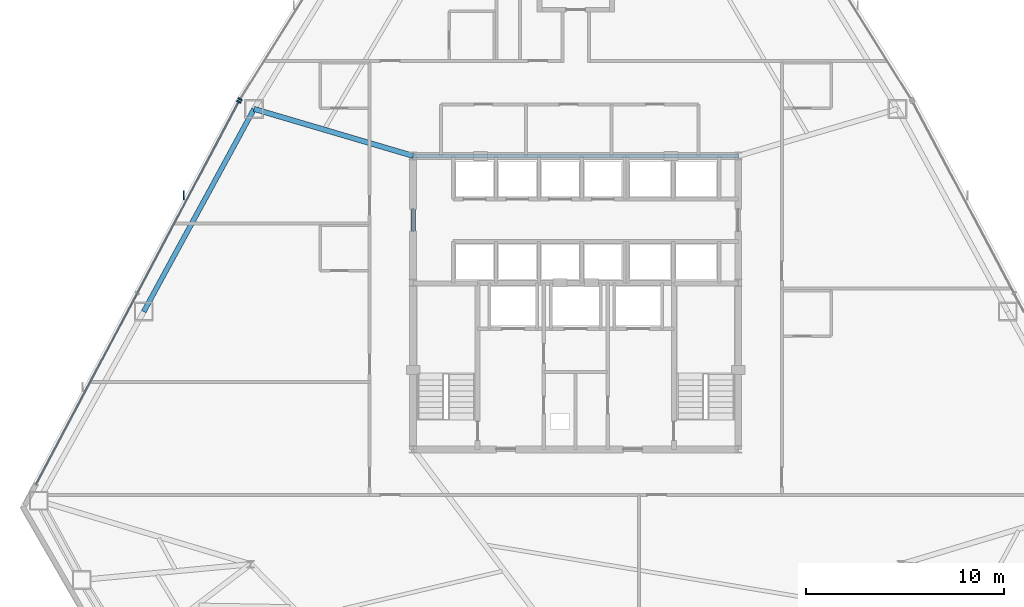
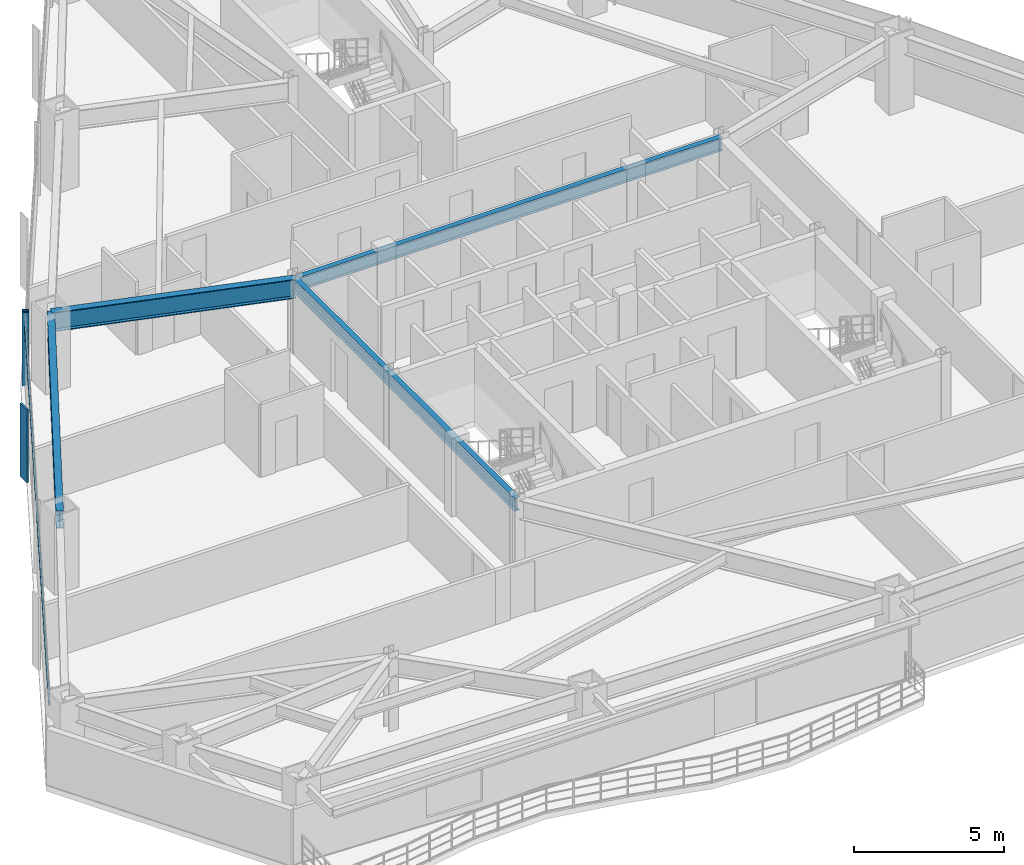
# One storey, part 5 of 13: 4 beams, 4 members, 2 elements without a shape of their own.
"""IFC4 building model written with IfcOpenShell, lengths in metres."""

import ifcopenshell
import ifcopenshell.guid

model = None  # the IFC model being written
_history = None  # IfcOwnerHistory: only IFC2X3 demands one
_inside = {}  # id of a spatial element -> (the spatial element, [elements in it])
_under = {}  # id of a project, library or spatial element -> (it, [spatial elements below it])
_declared = {}  # id of a project -> (the project, [libraries it declares])
_typed = {}  # id of a type object -> (the type object, [elements of that type])
_made_of = {}  # id of a material, layer set ... -> (it, [elements and type objects made of it])


def new_model(schema):
    """Start an empty IFC model of exactly this schema.

    Asked for "IFC4X3", IfcOpenShell would pick the latest addendum, in which some entities
    have other attributes; the version numbers below select the first issue.
    IFC2X3 requires an IfcOwnerHistory on every rooted entity: one is made here for all.
    """
    global model, _history
    if schema == "IFC4X3":
        model = ifcopenshell.file(schema_version=(4, 3, 0, 0))
    else:
        model = ifcopenshell.file(schema=schema)
    _inside.clear()
    _under.clear()
    _declared.clear()
    _typed.clear()
    _made_of.clear()
    _history = None
    if model.schema == "IFC2X3":
        org = make("IfcOrganization", Name="unknown")
        user = make(
            "IfcPersonAndOrganization",
            ThePerson=make("IfcPerson", FamilyName="unknown"),
            TheOrganization=org,
        )
        app = make(
            "IfcApplication",
            ApplicationDeveloper=org,
            Version="unknown",
            ApplicationFullName="unknown",
            ApplicationIdentifier="unknown",
        )
        _history = make(
            "IfcOwnerHistory",
            OwningUser=user,
            OwningApplication=app,
            ChangeAction="ADDED",
            CreationDate=0,
        )
    return model


def make(cls, **values):
    """One entity of the class cls with the attributes given. An attribute that is None is left unset."""
    return model.create_entity(
        cls, **{name: value for name, value in values.items() if value is not None}
    )


def rooted(cls, **values):
    """An entity with a GlobalId (a new one), such as an element, a storey or a relation."""
    return make(cls, GlobalId=ifcopenshell.guid.new(), OwnerHistory=_history, **values)


def si_unit(unit_type, name, prefix=None):
    """IfcSIUnit, for example si_unit("LENGTHUNIT", "METRE", prefix="MILLI")."""
    return make("IfcSIUnit", UnitType=unit_type, Prefix=prefix, Name=name)


def assignment(units):
    """IfcUnitAssignment: the units of a project."""
    return None if units is None else make("IfcUnitAssignment", Units=units)


def point(xyz):
    """IfcCartesianPoint."""
    return None if xyz is None else make("IfcCartesianPoint", Coordinates=xyz)


def direction(xyz):
    """IfcDirection."""
    return None if xyz is None else make("IfcDirection", DirectionRatios=xyz)


def frame(location, z_axis=None, x_axis=None):
    """IfcAxis2Placement3D, a coordinate frame: its origin and axes. An axis left out is left unset."""
    return make(
        "IfcAxis2Placement3D",
        Location=point(location),
        Axis=direction(z_axis),
        RefDirection=direction(x_axis),
    )


def frame_2d(location, x_axis=None):
    """IfcAxis2Placement2D, a coordinate frame in the plane: its origin and x axis."""
    return make(
        "IfcAxis2Placement2D", Location=point(location), RefDirection=direction(x_axis)
    )


def origin():
    """The frame at (0, 0, 0) with its axes left unset."""
    return frame((0.0, 0.0, 0.0))


def origin_2d():
    """The frame at (0, 0) in the plane with its x axis left unset."""
    return frame_2d((0.0, 0.0))


def place(relative_to, where):
    """IfcLocalPlacement: puts the frame where relative to a parent placement (None: the world)."""
    return make(
        "IfcLocalPlacement", PlacementRelTo=relative_to, RelativePlacement=where
    )


def context(
    kind, dimensions, precision=None, world=None, true_north=None, identifier=None
):
    """IfcGeometricRepresentationContext, for example the 3D "Model" context."""
    return make(
        "IfcGeometricRepresentationContext",
        ContextIdentifier=identifier,
        ContextType=kind,
        CoordinateSpaceDimension=dimensions,
        Precision=precision,
        WorldCoordinateSystem=world,
        TrueNorth=true_north,
    )


def subcontext(parent, identifier, kind, view, scale=None):
    """IfcGeometricRepresentationSubContext, for example "Body" below "Model"."""
    return make(
        "IfcGeometricRepresentationSubContext",
        ContextIdentifier=identifier,
        ContextType=kind,
        ParentContext=parent,
        TargetScale=scale,
        TargetView=view,
    )


def project(units=None, contexts=None):
    """IfcProject with its units and contexts."""
    return rooted(
        "IfcProject",
        Name="project",
        RepresentationContexts=contexts,
        UnitsInContext=assignment(units),
    )


def spatial(cls, under=None, at=None, **own):
    """A site, building, storey or space (cls), placed at a placement, below another one or the project."""
    s = rooted(cls, ObjectPlacement=at, **own)
    if under is not None:
        _under.setdefault(under.id(), (under, []))[1].append(s)
    return s


def profile(cls, at=None, kind="AREA", **sizes):
    """A parametric profile (cls). Its sizes go by their IFC names, for example OverallWidth=200.0."""
    return make(cls, ProfileType=kind, Position=at, **sizes)


def rectangle(**sizes):
    """IfcRectangleProfileDef."""
    return profile("IfcRectangleProfileDef", **sizes)


def i_section(**sizes):
    """IfcIShapeProfileDef."""
    return profile("IfcIShapeProfileDef", **sizes)


def extrude(swept, where, along, depth):
    """IfcExtrudedAreaSolid: the profile swept, set in the frame where, extruded along a direction by depth."""
    return make(
        "IfcExtrudedAreaSolid",
        SweptArea=swept,
        Position=where,
        ExtrudedDirection=direction(along),
        Depth=depth,
    )


def shape(context_of_items, identifier, shape_type, items):
    """IfcShapeRepresentation: the items that make up one representation, for example the "Body"."""
    return make(
        "IfcShapeRepresentation",
        ContextOfItems=context_of_items,
        RepresentationIdentifier=identifier,
        RepresentationType=shape_type,
        Items=items,
    )


def source(mapping_origin, context_of_items, identifier, shape_type, items):
    """IfcRepresentationMap: a shape defined once, which mapped items show again and again."""
    return make(
        "IfcRepresentationMap",
        MappingOrigin=mapping_origin,
        MappedRepresentation=shape(context_of_items, identifier, shape_type, items),
    )


def transform(
    local_origin,
    x_axis=None,
    y_axis=None,
    z_axis=None,
    scale=None,
    scale2=None,
    scale3=None,
    uniform=True,
):
    """IfcCartesianTransformationOperator3D, or its non-uniform kind. x_axis, y_axis, z_axis: its Axis1, 2, 3."""
    if uniform:
        return make(
            "IfcCartesianTransformationOperator3D",
            Axis1=direction(x_axis),
            Axis2=direction(y_axis),
            LocalOrigin=point(local_origin),
            Scale=scale,
            Axis3=direction(z_axis),
        )
    return make(
        "IfcCartesianTransformationOperator3DnonUniform",
        Axis1=direction(x_axis),
        Axis2=direction(y_axis),
        LocalOrigin=point(local_origin),
        Scale=scale,
        Axis3=direction(z_axis),
        Scale2=scale2,
        Scale3=scale3,
    )


def mapped(mapping_source, mapping_target):
    """IfcMappedItem: shows the shape of a source again, moved by a transform."""
    return make(
        "IfcMappedItem", MappingSource=mapping_source, MappingTarget=mapping_target
    )


def material(Name=None, Category=None):
    """IfcMaterial."""
    return make("IfcMaterial", Name=Name, Category=Category)


def layer(
    of_material, thickness, ventilated=None, Name=None, Category=None, Priority=None
):
    """IfcMaterialLayer: one layer of a wall or slab, of a material (None: an air gap)."""
    return make(
        "IfcMaterialLayer",
        Material=of_material,
        LayerThickness=thickness,
        IsVentilated=ventilated,
        Name=Name,
        Category=Category,
        Priority=Priority,
    )


def layer_set(layers, Name=None):
    """IfcMaterialLayerSet."""
    return make("IfcMaterialLayerSet", MaterialLayers=layers, LayerSetName=Name)


def material_profile(
    of_material, cross_section, Name=None, Category=None, Priority=None
):
    """IfcMaterialProfile: a cross section and its material."""
    return make(
        "IfcMaterialProfile",
        Name=Name,
        Material=of_material,
        Profile=cross_section,
        Priority=Priority,
        Category=Category,
    )


def profile_set(profiles, Name=None, composite=None):
    """IfcMaterialProfileSet."""
    return make(
        "IfcMaterialProfileSet",
        Name=Name,
        MaterialProfiles=profiles,
        CompositeProfile=composite,
    )


def made_of(thing, what):
    """Note that an element or type object is made of a material, layer set ...; save() writes the relation."""
    if what is not None:
        _made_of.setdefault(what.id(), (what, []))[1].append(thing)
    return thing


def type_object(cls, material=None, **own):
    """A type object (cls), such as IfcWallType, which elements share."""
    return made_of(rooted(cls, **own), material)


def type_shapes(of_type, sources):
    """Give a type object the sources (RepresentationMaps) that its elements show as mapped items."""
    of_type.RepresentationMaps = sources


def element(
    cls,
    number,
    at=None,
    inside=None,
    cuts=None,
    type_object=None,
    material=None,
    context=None,
    identifier="Body",
    shape_type=None,
    held_by="IfcProductDefinitionShape",
    body=None,
    shapes=None,
    **own,
):
    """One element of the class cls, such as IfcWall. Its Tag is "e" and its number.

    at: its placement. inside: the storey or other place that contains it. cuts: it is an
    opening in that element (IfcRelVoidsElement). A single representation is given by context,
    identifier, shape_type and body (its items); several are given by shapes. held_by: the class
    of the entity that holds the representations. save() writes the other relations.
    """
    e = rooted(cls, Tag="e%d" % number, ObjectPlacement=at, **own)
    if body is not None:
        shapes = [shape(context, identifier, shape_type, body)]
    if shapes is not None:
        e.Representation = make(held_by, Representations=shapes)
    if inside is not None:
        _inside.setdefault(inside.id(), (inside, []))[1].append(e)
    if cuts is not None:
        rooted(
            "IfcRelVoidsElement", RelatingBuildingElement=cuts, RelatedOpeningElement=e
        )
    if type_object is not None:
        _typed.setdefault(type_object.id(), (type_object, []))[1].append(e)
    return made_of(e, material)


def aggregate(whole, parts):
    """IfcRelAggregates: a whole, such as a stair, and the parts it consists of."""
    return rooted("IfcRelAggregates", RelatingObject=whole, RelatedObjects=parts)


def save(model, path):
    """Write the relations noted so far, then the file.

    IfcRelAggregates (storeys below a building ...), IfcRelContainedInSpatialStructure (elements
    in a storey), IfcRelDefinesByType, IfcRelAssociatesMaterial and IfcRelDeclares: one each for
    every whole, place, type object, material and project.
    """
    for whole, parts in _under.values():
        aggregate(whole, parts)
    for where, things in _inside.values():
        rooted(
            "IfcRelContainedInSpatialStructure",
            RelatedElements=things,
            RelatingStructure=where,
        )
    for kind, things in _typed.values():
        rooted("IfcRelDefinesByType", RelatedObjects=things, RelatingType=kind)
    for what, things in _made_of.values():
        rooted("IfcRelAssociatesMaterial", RelatedObjects=things, RelatingMaterial=what)
    for by, libraries in _declared.values():
        rooted("IfcRelDeclares", RelatingContext=by, RelatedDefinitions=libraries)
    model.write(path)


model = new_model("IFC4")

# Units and contexts
model_context = context("Model", 3, precision=1e-05, world=origin(), true_north=direction((0.0, 1.0)))
body_context = subcontext(model_context, "Body", "Model", "MODEL_VIEW")
ifc_project = project(units=[si_unit("LENGTHUNIT", "METRE"), si_unit("AREAUNIT", "SQUARE_METRE"), si_unit("VOLUMEUNIT", "CUBIC_METRE"), si_unit("PLANEANGLEUNIT", "RADIAN"), si_unit("MASSUNIT", "GRAM", prefix="KILO")], contexts=[model_context])

# Site, building, storey
site_placement = place(None, origin())
site = spatial("IfcSite", under=ifc_project, at=site_placement, CompositionType="ELEMENT")
building_placement = place(site_placement, origin())
building = spatial("IfcBuilding", under=site, at=building_placement, Name="Varakhsha Concourse Tower", CompositionType="ELEMENT")
storey_placement = place(building_placement, frame((0.0, 0.0, 99.0)))
storey = spatial("IfcBuildingStorey", under=building, at=storey_placement, Name="L28", CompositionType="ELEMENT", Elevation=99.0)

# Beams
ifc_material_1 = material(Name="Structural Steel ASTM A992 Grade 50", Category="steel")
ifc_material_profile_1 = material_profile(ifc_material_1, i_section(OverallWidth=0.26611328125, OverallDepth=0.779052734375, WebThickness=0.01708984375, FlangeThickness=0.030029296875, at=origin_2d()), Name="W30X148")
ifc_profile_set_1 = profile_set([ifc_material_profile_1], Name="Structural Steel ASTM A992 Grade 50")
beam_type_1 = type_object("IfcBeamType", Name="BM-BASE-W30X148", PredefinedType="USERDEFINED", material=ifc_profile_set_1)
beam_1_placement = place(storey_placement, frame((31.800048828125, 31.199951171875, 2.58056640625), z_axis=(-0.959108264711, 0.283039461143, 0.0), x_axis=(-0.283039461143, -0.959108264711, 0.0)))
element("IfcBeam", 1, at=beam_1_placement, inside=storey, type_object=beam_type_1, Name="L28 Radial Floor Girder 05", ObjectType="GIRDER", PredefinedType="USERDEFINED", context=body_context, shape_type="SweptSolid", body=[
    extrude(i_section(OverallWidth=0.26611328125, OverallDepth=0.779052734375, WebThickness=0.01708984375, FlangeThickness=0.030029296875, at=origin_2d()), origin(), (0.0, 0.0, 1.0), 8.370361328125),
])
ifc_material_profile_2 = material_profile(ifc_material_1, i_section(OverallWidth=0.2109375, OverallDepth=0.5390625, WebThickness=0.011962890625, FlangeThickness=0.01904296875, at=origin_2d()), Name="W21X73")
ifc_profile_set_2 = profile_set([ifc_material_profile_2], Name="Structural Steel ASTM A992 Grade 50")
beam_type_2 = type_object("IfcBeamType", Name="BM-RAD-W21X73", PredefinedType="BEAM", material=ifc_profile_set_2)
beam_2_placement = place(storey_placement, frame((31.800048828125, 31.199951171875, 2.700439453125), z_axis=(1.0, 0.0, 0.0), x_axis=(0.0, 1.0, 0.0)))
element("IfcBeam", 2, at=beam_2_placement, inside=storey, type_object=beam_type_2, Name="BM-TCORE-L28-CN", PredefinedType="BEAM", context=body_context, shape_type="SweptSolid", body=[
    extrude(i_section(OverallWidth=0.2109375, OverallDepth=0.5390625, WebThickness=0.011962890625, FlangeThickness=0.01904296875, at=origin_2d()), origin(), (0.0, 0.0, 1.0), 16.39990234375),
])
beam_3_placement = place(storey_placement, frame((31.800048828125, 16.39990234375, 2.700439453125), z_axis=(0.0, 1.0, 0.0), x_axis=(-1.0, 0.0, 0.0)))
element("IfcBeam", 3, at=beam_3_placement, inside=storey, type_object=beam_type_2, Name="BM-TCORE-L28-CW", PredefinedType="BEAM", context=body_context, shape_type="SweptSolid", body=[
    extrude(i_section(OverallWidth=0.2109375, OverallDepth=0.5390625, WebThickness=0.011962890625, FlangeThickness=0.01904296875, at=origin_2d()), origin(), (0.0, 0.0, 1.0), 14.800048828125),
])
ifc_material_profile_3 = material_profile(ifc_material_1, i_section(OverallWidth=0.25390625, OverallDepth=0.701904296875, WebThickness=0.014892578125, FlangeThickness=0.028076171875, at=origin_2d()), Name="W27X129")
ifc_profile_set_3 = profile_set([ifc_material_profile_3], Name="Structural Steel ASTM A992 Grade 50")
beam_type_3 = type_object("IfcBeamType", Name="BM-SPAN-W27X129", PredefinedType="SPANDREL", material=ifc_profile_set_3)
beam_4_placement = place(storey_placement, frame((23.77197265625, 33.569091796875, 2.618896484375), z_axis=(-0.478070108108, -0.878321678962, 0.0), x_axis=(0.878321678962, -0.478070108108, 0.0)))
element("IfcBeam", 4, at=beam_4_placement, inside=storey, type_object=beam_type_3, Name="BM-SPAN-L28-05", PredefinedType="SPANDREL", context=body_context, shape_type="SweptSolid", body=[
    extrude(i_section(OverallWidth=0.25390625, OverallDepth=0.701904296875, WebThickness=0.014892578125, FlangeThickness=0.028076171875, at=origin_2d()), origin(), (0.0, 0.0, 1.0), 11.639404296875),
])

# Curtain wall, member
ifc_material_2 = material(Name="Anodised Bronze Architectural Aluminium AA 6063-T6", Category="aluminium")
ifc_layer = layer(ifc_material_2, 0.199951171875, Name="CW-SYS-03")
ifc_layer_set = layer_set([ifc_layer], Name="Anodised Bronze Architectural Aluminium AA 6063-T6")
curtain_wall_type = type_object("IfcCurtainWallType", Name="CW-SYS-03", PredefinedType="NOTDEFINED", material=ifc_layer_set)
curtain_wall_1_placement = place(storey_placement, origin())
curtain_wall_1 = element("IfcCurtainWall", 5, at=curtain_wall_1_placement, inside=storey, type_object=curtain_wall_type, Name="L28 Crystal Curtain Wall F2", PredefinedType="NOTDEFINED")
ifc_material_profile_4 = material_profile(ifc_material_2, rectangle(XDim=0.074951171875, YDim=0.219970703125, at=origin_2d()), Name="CWM-220X75")
ifc_profile_set_4 = profile_set([ifc_material_profile_4], Name="Anodised Bronze Architectural Aluminium AA 6063-T6")
member_type_1 = type_object("IfcMemberType", Name="CWM-220X75", PredefinedType="MULLION", material=ifc_profile_set_4)
shared_shape_1 = source(origin(), body_context, "Body", "SweptSolid", [
    extrude(rectangle(XDim=0.074951171875, YDim=0.219970703125, at=origin_2d()), origin(), (0.0, 0.0, 1.0), 2.969970703125),
])
type_shapes(member_type_1, [shared_shape_1])
member_1_placement = place(storey_placement, frame((23.07373046875, 34.05810546875, 0.0), z_axis=(0.0, 0.0, 1.0), x_axis=(0.531209317405, 0.847240615824, 0.0)))
member_1 = element("IfcMember", 6, at=member_1_placement, type_object=member_type_1, Name="CW-L28-F2 Mullion 00", PredefinedType="MULLION", context=body_context, shape_type="MappedRepresentation", body=[
    mapped(shared_shape_1, transform((0.0, 0.0, 0.0), scale=1.0)),
])
aggregate(curtain_wall_1, [member_1])

# Curtain wall, members
curtain_wall_2_placement = place(storey_placement, origin())
curtain_wall_2 = element("IfcCurtainWall", 7, at=curtain_wall_2_placement, inside=storey, type_object=curtain_wall_type, Name="L28 Crystal Curtain Wall F3", PredefinedType="NOTDEFINED")
member_2_placement = place(storey_placement, frame((22.99951171875, 33.9296875, 0.0), z_axis=(0.0, 0.0, 1.0), x_axis=(0.468124153157, 0.883662705579, 0.0)))
member_2 = element("IfcMember", 8, at=member_2_placement, type_object=member_type_1, Name="CW-L28-F3 Mullion 02", PredefinedType="MULLION", context=body_context, shape_type="MappedRepresentation", body=[
    mapped(shared_shape_1, transform((0.0, 0.0, 0.0), scale=1.0)),
])
ifc_material_profile_5 = material_profile(ifc_material_2, rectangle(XDim=0.06494140625, YDim=0.449951171875, at=origin_2d()), Name="FIN-BRZ-450")
ifc_profile_set_5 = profile_set([ifc_material_profile_5], Name="Anodised Bronze Architectural Aluminium AA 6063-T6")
member_type_2 = type_object("IfcMemberType", Name="FIN-BRZ-450", PredefinedType="USERDEFINED", material=ifc_profile_set_5)
shared_shape_2 = source(origin(), body_context, "Body", "SweptSolid", [
    extrude(rectangle(XDim=0.06494140625, YDim=0.449951171875, at=origin_2d()), origin(), (0.0, 0.0, 1.0), 2.969970703125),
])
type_shapes(member_type_2, [shared_shape_2])
member_3_placement = place(storey_placement, frame((20.22998046875, 29.214599609375, 0.0), z_axis=(0.0, 0.0, 1.0), x_axis=(1.0, 0.0, 0.0)))
member_3 = element("IfcMember", 9, at=member_3_placement, type_object=member_type_2, Name="L28 Anodised Bronze Solar Fin F3-2", ObjectType="SOLAR FIN", PredefinedType="USERDEFINED", context=body_context, shape_type="MappedRepresentation", body=[
    mapped(shared_shape_2, transform((0.0, 0.0, 0.0), scale=1.0)),
])
ifc_material_profile_6 = material_profile(ifc_material_2, rectangle(XDim=0.06494140625, YDim=0.159912109375, at=origin_2d()), Name="CWT-160X65")
ifc_profile_set_6 = profile_set([ifc_material_profile_6], Name="Anodised Bronze Architectural Aluminium AA 6063-T6")
member_type_3 = type_object("IfcMemberType", Name="CWT-160X65", PredefinedType="USERDEFINED", material=ifc_profile_set_6)
shared_shape_3 = source(origin(), body_context, "Body", "SweptSolid", [
    extrude(rectangle(XDim=0.06494140625, YDim=0.159912109375, at=origin_2d()), origin(), (0.0, 0.0, 1.0), 21.85107421875),
])
type_shapes(member_type_3, [shared_shape_3])
member_4_placement = place(storey_placement, frame((12.7705078125, 14.62060546875, 2.320068359375), z_axis=(0.468121791174, 0.883663956846, 0.0), x_axis=(-0.883663956846, 0.468121791174, 0.0)))
member_4 = element("IfcMember", 10, at=member_4_placement, type_object=member_type_3, Name="CW-L28-F3 Transom 01", ObjectType="TRANSOM", PredefinedType="USERDEFINED", context=body_context, shape_type="MappedRepresentation", body=[
    mapped(shared_shape_3, transform((0.0, 0.0, 0.0), scale=1.0)),
])
aggregate(curtain_wall_2, [member_2, member_4, member_3])

save(model, "model.ifc")
